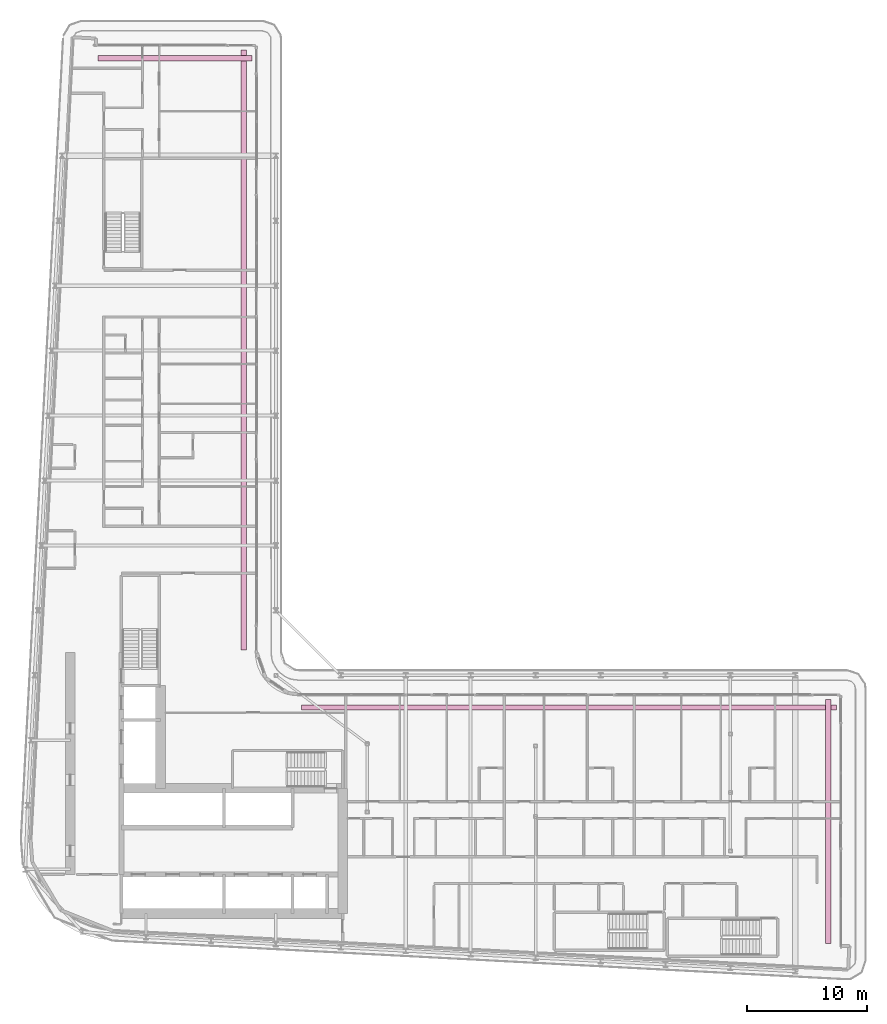
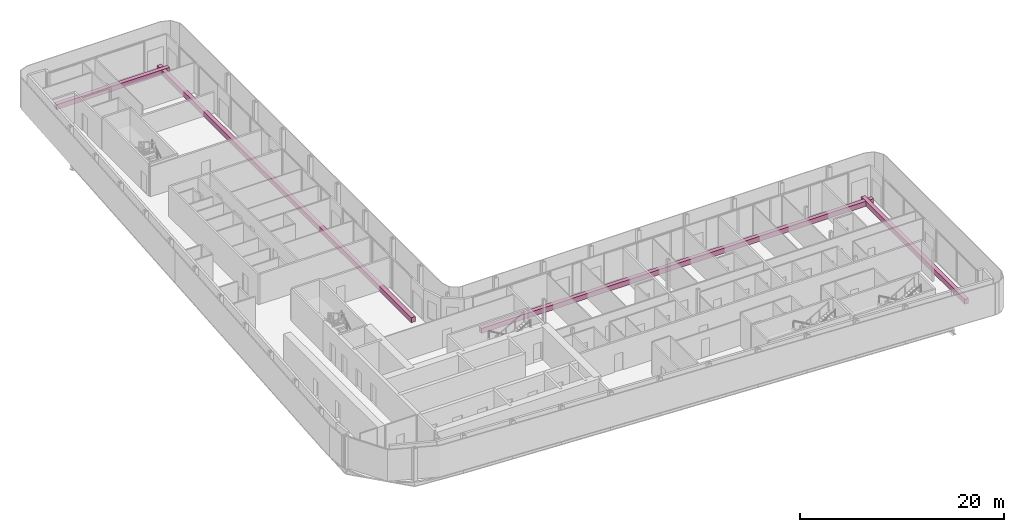
# One storey, part 30 of 30: 4 furniture elements.
"""IFC4 building model written with IfcOpenShell, lengths in metres."""

import ifcopenshell
import ifcopenshell.guid

model = None  # the IFC model being written
_history = None  # IfcOwnerHistory: only IFC2X3 demands one
_inside = {}  # id of a spatial element -> (the spatial element, [elements in it])
_under = {}  # id of a project, library or spatial element -> (it, [spatial elements below it])
_declared = {}  # id of a project -> (the project, [libraries it declares])
_typed = {}  # id of a type object -> (the type object, [elements of that type])
_made_of = {}  # id of a material, layer set ... -> (it, [elements and type objects made of it])


def new_model(schema):
    """Start an empty IFC model of exactly this schema.

    Asked for "IFC4X3", IfcOpenShell would pick the latest addendum, in which some entities
    have other attributes; the version numbers below select the first issue.
    IFC2X3 requires an IfcOwnerHistory on every rooted entity: one is made here for all.
    """
    global model, _history
    if schema == "IFC4X3":
        model = ifcopenshell.file(schema_version=(4, 3, 0, 0))
    else:
        model = ifcopenshell.file(schema=schema)
    _inside.clear()
    _under.clear()
    _declared.clear()
    _typed.clear()
    _made_of.clear()
    _history = None
    if model.schema == "IFC2X3":
        org = make("IfcOrganization", Name="unknown")
        user = make(
            "IfcPersonAndOrganization",
            ThePerson=make("IfcPerson", FamilyName="unknown"),
            TheOrganization=org,
        )
        app = make(
            "IfcApplication",
            ApplicationDeveloper=org,
            Version="unknown",
            ApplicationFullName="unknown",
            ApplicationIdentifier="unknown",
        )
        _history = make(
            "IfcOwnerHistory",
            OwningUser=user,
            OwningApplication=app,
            ChangeAction="ADDED",
            CreationDate=0,
        )
    return model


def make(cls, **values):
    """One entity of the class cls with the attributes given. An attribute that is None is left unset."""
    return model.create_entity(
        cls, **{name: value for name, value in values.items() if value is not None}
    )


def rooted(cls, **values):
    """An entity with a GlobalId (a new one), such as an element, a storey or a relation."""
    return make(cls, GlobalId=ifcopenshell.guid.new(), OwnerHistory=_history, **values)


def si_unit(unit_type, name, prefix=None):
    """IfcSIUnit, for example si_unit("LENGTHUNIT", "METRE", prefix="MILLI")."""
    return make("IfcSIUnit", UnitType=unit_type, Prefix=prefix, Name=name)


def assignment(units):
    """IfcUnitAssignment: the units of a project."""
    return None if units is None else make("IfcUnitAssignment", Units=units)


def point(xyz):
    """IfcCartesianPoint."""
    return None if xyz is None else make("IfcCartesianPoint", Coordinates=xyz)


def direction(xyz):
    """IfcDirection."""
    return None if xyz is None else make("IfcDirection", DirectionRatios=xyz)


def frame(location, z_axis=None, x_axis=None):
    """IfcAxis2Placement3D, a coordinate frame: its origin and axes. An axis left out is left unset."""
    return make(
        "IfcAxis2Placement3D",
        Location=point(location),
        Axis=direction(z_axis),
        RefDirection=direction(x_axis),
    )


def frame_2d(location, x_axis=None):
    """IfcAxis2Placement2D, a coordinate frame in the plane: its origin and x axis."""
    return make(
        "IfcAxis2Placement2D", Location=point(location), RefDirection=direction(x_axis)
    )


def origin():
    """The frame at (0, 0, 0) with its axes left unset."""
    return frame((0.0, 0.0, 0.0))


def origin_2d():
    """The frame at (0, 0) in the plane with its x axis left unset."""
    return frame_2d((0.0, 0.0))


def place(relative_to, where):
    """IfcLocalPlacement: puts the frame where relative to a parent placement (None: the world)."""
    return make(
        "IfcLocalPlacement", PlacementRelTo=relative_to, RelativePlacement=where
    )


def context(
    kind, dimensions, precision=None, world=None, true_north=None, identifier=None
):
    """IfcGeometricRepresentationContext, for example the 3D "Model" context."""
    return make(
        "IfcGeometricRepresentationContext",
        ContextIdentifier=identifier,
        ContextType=kind,
        CoordinateSpaceDimension=dimensions,
        Precision=precision,
        WorldCoordinateSystem=world,
        TrueNorth=true_north,
    )


def subcontext(parent, identifier, kind, view, scale=None):
    """IfcGeometricRepresentationSubContext, for example "Body" below "Model"."""
    return make(
        "IfcGeometricRepresentationSubContext",
        ContextIdentifier=identifier,
        ContextType=kind,
        ParentContext=parent,
        TargetScale=scale,
        TargetView=view,
    )


def project(units=None, contexts=None):
    """IfcProject with its units and contexts."""
    return rooted(
        "IfcProject",
        Name="project",
        RepresentationContexts=contexts,
        UnitsInContext=assignment(units),
    )


def spatial(cls, under=None, at=None, **own):
    """A site, building, storey or space (cls), placed at a placement, below another one or the project."""
    s = rooted(cls, ObjectPlacement=at, **own)
    if under is not None:
        _under.setdefault(under.id(), (under, []))[1].append(s)
    return s


def profile(cls, at=None, kind="AREA", **sizes):
    """A parametric profile (cls). Its sizes go by their IFC names, for example OverallWidth=200.0."""
    return make(cls, ProfileType=kind, Position=at, **sizes)


def rectangle(**sizes):
    """IfcRectangleProfileDef."""
    return profile("IfcRectangleProfileDef", **sizes)


def extrude(swept, where, along, depth):
    """IfcExtrudedAreaSolid: the profile swept, set in the frame where, extruded along a direction by depth."""
    return make(
        "IfcExtrudedAreaSolid",
        SweptArea=swept,
        Position=where,
        ExtrudedDirection=direction(along),
        Depth=depth,
    )


def shape(context_of_items, identifier, shape_type, items):
    """IfcShapeRepresentation: the items that make up one representation, for example the "Body"."""
    return make(
        "IfcShapeRepresentation",
        ContextOfItems=context_of_items,
        RepresentationIdentifier=identifier,
        RepresentationType=shape_type,
        Items=items,
    )


def material(Name=None, Category=None):
    """IfcMaterial."""
    return make("IfcMaterial", Name=Name, Category=Category)


def made_of(thing, what):
    """Note that an element or type object is made of a material, layer set ...; save() writes the relation."""
    if what is not None:
        _made_of.setdefault(what.id(), (what, []))[1].append(thing)
    return thing


def type_object(cls, material=None, **own):
    """A type object (cls), such as IfcWallType, which elements share."""
    return made_of(rooted(cls, **own), material)


def element(
    cls,
    number,
    at=None,
    inside=None,
    cuts=None,
    type_object=None,
    material=None,
    context=None,
    identifier="Body",
    shape_type=None,
    held_by="IfcProductDefinitionShape",
    body=None,
    shapes=None,
    **own,
):
    """One element of the class cls, such as IfcWall. Its Tag is "e" and its number.

    at: its placement. inside: the storey or other place that contains it. cuts: it is an
    opening in that element (IfcRelVoidsElement). A single representation is given by context,
    identifier, shape_type and body (its items); several are given by shapes. held_by: the class
    of the entity that holds the representations. save() writes the other relations.
    """
    e = rooted(cls, Tag="e%d" % number, ObjectPlacement=at, **own)
    if body is not None:
        shapes = [shape(context, identifier, shape_type, body)]
    if shapes is not None:
        e.Representation = make(held_by, Representations=shapes)
    if inside is not None:
        _inside.setdefault(inside.id(), (inside, []))[1].append(e)
    if cuts is not None:
        rooted(
            "IfcRelVoidsElement", RelatingBuildingElement=cuts, RelatedOpeningElement=e
        )
    if type_object is not None:
        _typed.setdefault(type_object.id(), (type_object, []))[1].append(e)
    return made_of(e, material)


def aggregate(whole, parts):
    """IfcRelAggregates: a whole, such as a stair, and the parts it consists of."""
    return rooted("IfcRelAggregates", RelatingObject=whole, RelatedObjects=parts)


def save(model, path):
    """Write the relations noted so far, then the file.

    IfcRelAggregates (storeys below a building ...), IfcRelContainedInSpatialStructure (elements
    in a storey), IfcRelDefinesByType, IfcRelAssociatesMaterial and IfcRelDeclares: one each for
    every whole, place, type object, material and project.
    """
    for whole, parts in _under.values():
        aggregate(whole, parts)
    for where, things in _inside.values():
        rooted(
            "IfcRelContainedInSpatialStructure",
            RelatedElements=things,
            RelatingStructure=where,
        )
    for kind, things in _typed.values():
        rooted("IfcRelDefinesByType", RelatedObjects=things, RelatingType=kind)
    for what, things in _made_of.values():
        rooted("IfcRelAssociatesMaterial", RelatedObjects=things, RelatingMaterial=what)
    for by, libraries in _declared.values():
        rooted("IfcRelDeclares", RelatingContext=by, RelatedDefinitions=libraries)
    model.write(path)


model = new_model("IFC4")

# Units and contexts
model_context = context("Model", 3, precision=1e-05, world=origin(), true_north=direction((0.0, 1.0)))
body_context = subcontext(model_context, "Body", "Model", "MODEL_VIEW")
ifc_project = project(units=[si_unit("LENGTHUNIT", "METRE"), si_unit("AREAUNIT", "SQUARE_METRE"), si_unit("VOLUMEUNIT", "CUBIC_METRE"), si_unit("PLANEANGLEUNIT", "RADIAN"), si_unit("MASSUNIT", "GRAM", prefix="KILO")], contexts=[model_context])

# Site, building, storey
site_placement = place(None, origin())
site = spatial("IfcSite", under=ifc_project, at=site_placement, CompositionType="ELEMENT")
building_placement = place(site_placement, origin())
building = spatial("IfcBuilding", under=site, at=building_placement, Name="Kheshtan School and Residences Tower", CompositionType="ELEMENT")
storey_placement = place(building_placement, frame((0.0, 0.0, 164.300048828125)))
storey = spatial("IfcBuildingStorey", under=building, at=storey_placement, Name="L38", CompositionType="ELEMENT", Elevation=164.300048828125)

# Furniture
ifc_material = material(Name="Precast concrete C30/37 in terracotta finish", Category="masonry")
furniture_type = type_object("IfcFurnitureType", Name="Planter trough", AssemblyPlace="NOTDEFINED", PredefinedType="USERDEFINED", material=ifc_material)
furniture_1_placement = place(storey_placement, frame((39.196044921875, 96.925048828125, 0.0), z_axis=(0.0, 0.0, 1.0), x_axis=(1.0, 0.0, 0.0)))
element("IfcFurniture", 1, at=furniture_1_placement, inside=storey, type_object=furniture_type, Name="Planter L38", ObjectType="PLANTER", PredefinedType="USERDEFINED", context=body_context, shape_type="SweptSolid", body=[
    extrude(rectangle(XDim=12.80810546875, YDim=0.449951171875, at=origin_2d()), origin(), (0.0, 0.0, 1.0), 0.60009765625),
])
furniture_2_placement = place(storey_placement, frame((44.925048828125, 72.6650390625, 0.0), z_axis=(0.0, 0.0, 1.0), x_axis=(0.0, -1.0, 0.0)))
element("IfcFurniture", 2, at=furniture_2_placement, inside=storey, type_object=furniture_type, Name="Planter L38", ObjectType="PLANTER", PredefinedType="USERDEFINED", context=body_context, shape_type="SweptSolid", body=[
    extrude(rectangle(XDim=49.8701171875, YDim=0.449951171875, at=origin_2d()), origin(), (0.0, 0.0, 1.0), 0.60009765625),
])
furniture_3_placement = place(storey_placement, frame((71.965087890625, 42.925048828125, 0.0), z_axis=(0.0, 0.0, 1.0), x_axis=(1.0, 0.0, 0.0)))
element("IfcFurniture", 3, at=furniture_3_placement, inside=storey, type_object=furniture_type, Name="Planter L38", ObjectType="PLANTER", PredefinedType="USERDEFINED", context=body_context, shape_type="SweptSolid", body=[
    extrude(rectangle(XDim=44.469970703125, YDim=0.449951171875, at=origin_2d()), origin(), (0.0, 0.0, 1.0), 0.60009765625),
])
furniture_4_placement = place(storey_placement, frame((93.52490234375, 33.448974609375, 0.0), z_axis=(0.0, 0.0, 1.0), x_axis=(0.0, -1.0, 0.0)))
element("IfcFurniture", 4, at=furniture_4_placement, inside=storey, type_object=furniture_type, Name="Planter L38", ObjectType="PLANTER", PredefinedType="USERDEFINED", context=body_context, shape_type="SweptSolid", body=[
    extrude(rectangle(XDim=20.302001953125, YDim=0.449951171875, at=origin_2d()), origin(), (0.0, 0.0, 1.0), 0.60009765625),
])

save(model, "model.ifc")
